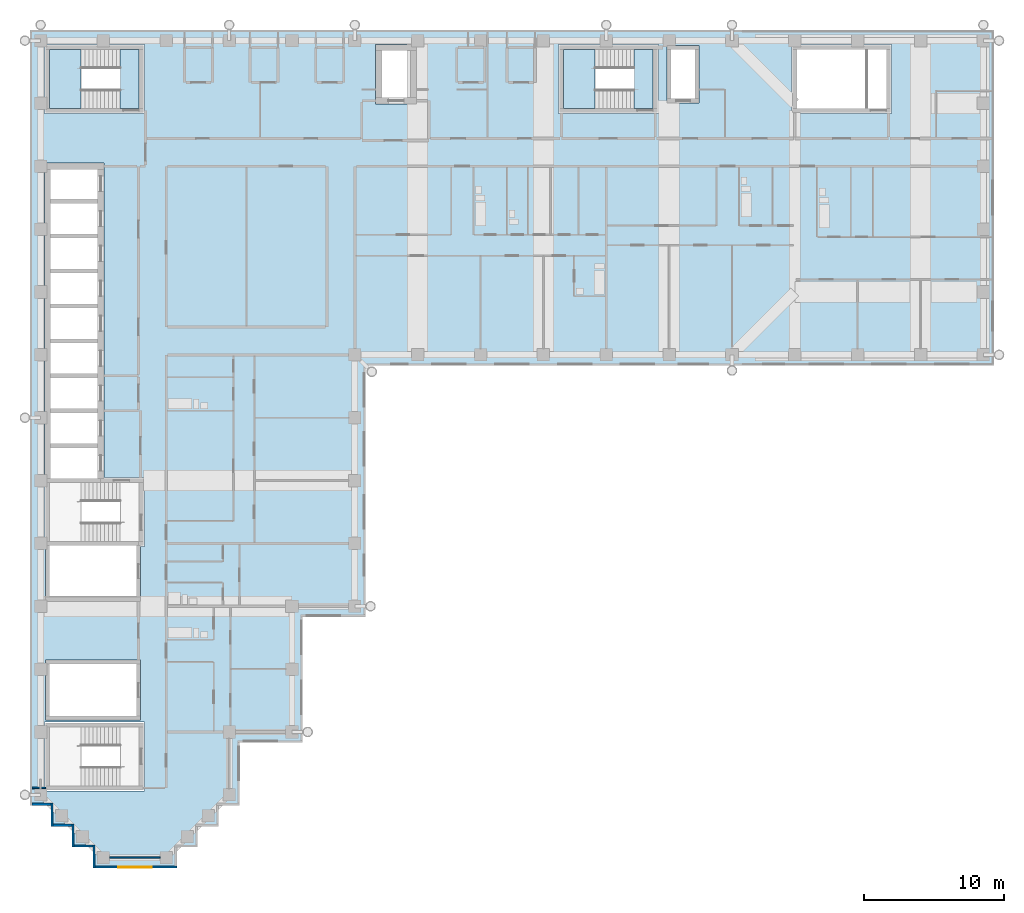
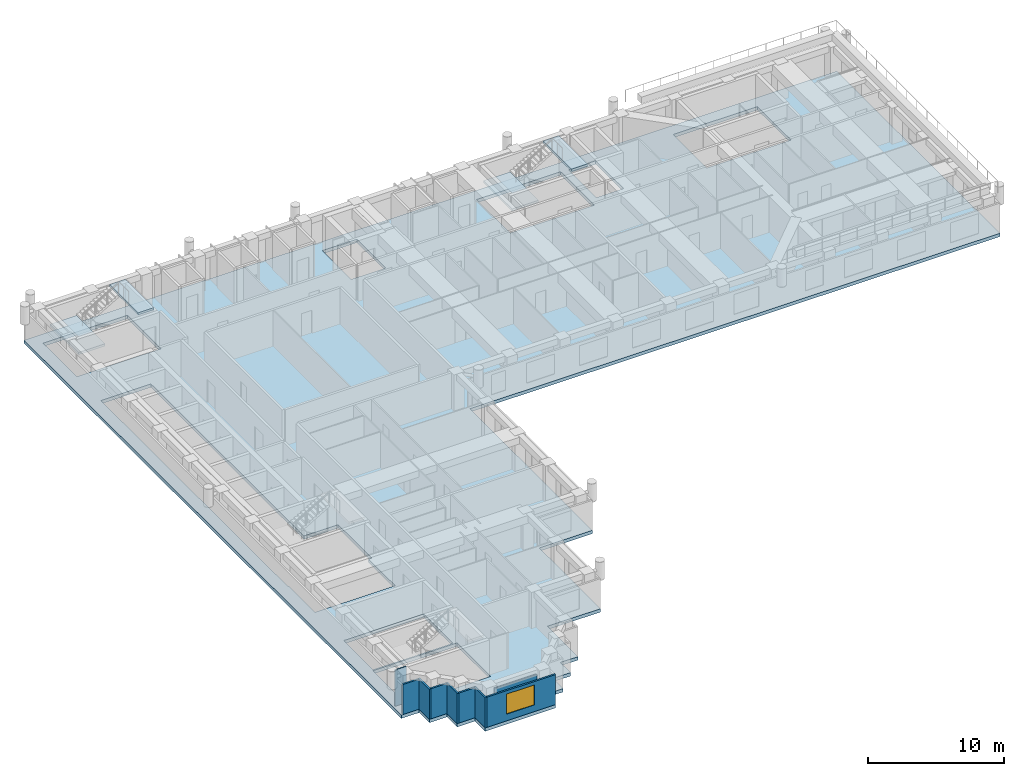
# One storey, part 4 of 14: 9 walls, 5 slabs, 1 window, 1 opening, 2 elements without a shape of their own.
"""IFC4 building model written with IfcOpenShell, lengths in metres."""

from ifc_helpers import new_model, si_unit, direction, frame, frame_2d, origin, place, context, subcontext, project, spatial, polyline, rectangle, outline, extrude, material, layer, layer_set, type_object, element, fill, aggregate, save


model = new_model("IFC4")

# Units and contexts
model_context = context("Model", 3, precision=1e-05, world=origin(), true_north=direction((0.0, 1.0)))
body_context = subcontext(model_context, "Body", "Model", "MODEL_VIEW")
ifc_project = project(units=[si_unit("LENGTHUNIT", "METRE"), si_unit("AREAUNIT", "SQUARE_METRE"), si_unit("VOLUMEUNIT", "CUBIC_METRE"), si_unit("PLANEANGLEUNIT", "RADIAN"), si_unit("MASSUNIT", "GRAM", prefix="KILO")], contexts=[model_context])

# Site, building, storey
site_placement = place(None, origin())
site = spatial("IfcSite", under=ifc_project, at=site_placement, CompositionType="ELEMENT")
building_placement = place(site_placement, origin())
building = spatial("IfcBuilding", under=site, at=building_placement, Name="Firuza Court", CompositionType="ELEMENT")
storey_placement = place(building_placement, frame((0.0, 0.0, 182.60009765625)))
storey = spatial("IfcBuildingStorey", under=building, at=storey_placement, Name="L46", CompositionType="ELEMENT", Elevation=182.60009765625)

# Slab
ifc_material_1 = material(Name="Concrete C40/50", Category="concrete")
ifc_layer_1 = layer(ifc_material_1, 0.300048828125)
ifc_layer_set_1 = layer_set([ifc_layer_1], Name="Concrete C40/50")
slab_type_1 = type_object("IfcSlabType", Name="Floor slab 300 C40/50", PredefinedType="FLOOR", material=ifc_layer_set_1)
slab_1_placement = place(storey_placement, frame((0.0, 0.0, -0.300048828125)))
element("IfcSlab", 1, at=slab_1_placement, inside=storey, type_object=slab_type_1, Name="Floor slab L46", PredefinedType="FLOOR", context=body_context, shape_type="SweptSolid", body=[
    extrude(outline(polyline([(3.75, -0.75), (3.75, 0.75), (2.25, 0.75), (2.25, 2.25), (0.75, 2.25), (0.75, 3.75), (-0.75, 3.75), (-0.75, 59.25), (68.25, 59.25), (68.25, 35.25), (23.25, 35.25), (23.25, 17.25), (18.75, 17.25), (18.75, 8.25), (14.25, 8.25), (14.25, 3.75), (12.75, 3.75), (12.75, 2.25), (11.25, 2.25), (11.25, 0.75), (9.75, 0.75), (9.75, -0.75), (3.75, -0.75)]), holes=[polyline([(0.27490234375, 29.72509765625), (0.27490234375, 29.27490234375), (0.27490234375, 27.22509765625), (0.27490234375, 26.77490234375), (0.27490234375, 22.27490234375), (0.35009765625, 22.27490234375), (0.35009765625, 18.35009765625), (7.14990234375, 18.35009765625), (7.14990234375, 22.27490234375), (7.425048828125, 22.27490234375), (7.425048828125, 27.22509765625), (4.52490234375, 27.22509765625), (4.52490234375, 29.27490234375), (4.52490234375, 29.72509765625), (4.52490234375, 31.77490234375), (4.52490234375, 32.22509765625), (4.52490234375, 34.27490234375), (4.52490234375, 34.72509765625), (4.52490234375, 36.77490234375), (4.52490234375, 37.22509765625), (4.52490234375, 39.27490234375), (4.52490234375, 39.72509765625), (4.52490234375, 41.77490234375), (4.52490234375, 42.22509765625), (4.52490234375, 44.27490234375), (4.52490234375, 44.72509765625), (4.52490234375, 46.77490234375), (4.52490234375, 47.22509765625), (4.52490234375, 49.72509765625), (0.27490234375, 49.72509765625), (0.27490234375, 47.22509765625), (0.27490234375, 46.77490234375), (0.27490234375, 44.72509765625), (0.27490234375, 44.27490234375), (0.27490234375, 42.22509765625), (0.27490234375, 41.77490234375), (0.27490234375, 39.72509765625), (0.27490234375, 39.27490234375), (0.27490234375, 37.22509765625), (0.27490234375, 36.77490234375), (0.27490234375, 34.72509765625), (0.27490234375, 34.27490234375), (0.27490234375, 32.22509765625), (0.27490234375, 31.77490234375), (0.27490234375, 29.72509765625)]), polyline([(7.425048828125, 9.72509765625), (0.27490234375, 9.72509765625), (0.27490234375, 4.77490234375), (7.425048828125, 4.77490234375), (7.425048828125, 9.72509765625)]), polyline([(7.14990234375, 14.14990234375), (0.35009765625, 14.14990234375), (0.35009765625, 9.85009765625), (7.14990234375, 9.85009765625), (7.14990234375, 14.14990234375)]), polyline([(7.425048828125, 58.22509765625), (0.27490234375, 58.22509765625), (0.27490234375, 53.27490234375), (7.425048828125, 53.27490234375), (7.425048828125, 58.22509765625)]), polyline([(44.22509765625, 58.22509765625), (37.074951171875, 58.22509765625), (37.074951171875, 53.27490234375), (44.22509765625, 53.27490234375), (44.22509765625, 58.22509765625)]), polyline([(60.925048828125, 58.22509765625), (53.77490234375, 58.22509765625), (53.77490234375, 53.27490234375), (60.925048828125, 53.27490234375), (60.925048828125, 58.22509765625)]), polyline([(26.925048828125, 53.97509765625), (26.925048828125, 58.22509765625), (23.97509765625, 58.22509765625), (23.97509765625, 53.97509765625), (26.925048828125, 53.97509765625)]), polyline([(47.14990234375, 54.050048828125), (47.14990234375, 58.14990234375), (44.85009765625, 58.14990234375), (44.85009765625, 54.050048828125), (47.14990234375, 54.050048828125)])]), origin(), (0.0, 0.0, 1.0), 0.300048828125),
])

# Stair, slabs
ifc_material_2 = material(Name="Concrete C40/50 precast", Category="concrete")
stair_type = type_object("IfcStairType", Name="Stair 1350 x 3600 2 flights", PredefinedType="HALF_TURN_STAIR", material=ifc_material_2)
stair_1_placement = place(storey_placement, origin())
stair_1 = element("IfcStair", 2, at=stair_1_placement, inside=storey, type_object=stair_type, Name="Stair 1 L46", PredefinedType="HALF_TURN_STAIR")
ifc_material_3 = material(Name="Concrete C40/50 precast", Category="concrete")
ifc_layer_2 = layer(ifc_material_3, 0.199951171875)
ifc_layer_set_2 = layer_set([ifc_layer_2], Name="Concrete C40/50 precast")
slab_type_2 = type_object("IfcSlabType", Name="Stair landing 200", PredefinedType="LANDING", material=ifc_layer_set_2)
slab_2_placement = place(storey_placement, frame((0.0, 0.0, 1.599853515625)))
slab_2 = element("IfcSlab", 3, at=slab_2_placement, type_object=slab_type_2, Name="S1 landing 1", PredefinedType="LANDING", context=body_context, shape_type="SweptSolid", body=[
    extrude(outline(polyline([(39.699951171875, 53.64990234375), (39.699951171875, 57.85009765625), (37.449951171875, 57.85009765625), (37.449951171875, 53.64990234375), (39.699951171875, 53.64990234375)])), origin(), (0.0, 0.0, 1.0), 0.199951171875),
])
slab_3_placement = place(storey_placement, frame((0.0, 0.0, 3.39990234375)))
slab_3 = element("IfcSlab", 4, at=slab_3_placement, type_object=slab_type_2, Name="S1 landing 2", PredefinedType="LANDING", context=body_context, shape_type="SweptSolid", body=[
    extrude(outline(polyline([(43.85009765625, 53.64990234375), (43.85009765625, 57.85009765625), (42.5, 57.85009765625), (42.5, 53.64990234375), (43.85009765625, 53.64990234375)])), origin(), (0.0, 0.0, 1.0), 0.199951171875),
])
aggregate(stair_1, [slab_2, slab_3])

stair_2_placement = place(storey_placement, origin())
stair_2 = element("IfcStair", 5, at=stair_2_placement, inside=storey, type_object=stair_type, Name="Stair 3 L46", PredefinedType="HALF_TURN_STAIR")
slab_4_placement = place(storey_placement, frame((0.0, 0.0, 1.599853515625)))
slab_4 = element("IfcSlab", 6, at=slab_4_placement, type_object=slab_type_2, Name="S3 landing 1", PredefinedType="LANDING", context=body_context, shape_type="SweptSolid", body=[
    extrude(outline(polyline([(2.89990234375, 53.64990234375), (2.89990234375, 57.85009765625), (0.64990234375, 57.85009765625), (0.64990234375, 53.64990234375), (2.89990234375, 53.64990234375)])), origin(), (0.0, 0.0, 1.0), 0.199951171875),
])
slab_5_placement = place(storey_placement, frame((0.0, 0.0, 3.39990234375)))
slab_5 = element("IfcSlab", 7, at=slab_5_placement, type_object=slab_type_2, Name="S3 landing 2", PredefinedType="LANDING", context=body_context, shape_type="SweptSolid", body=[
    extrude(outline(polyline([(7.050048828125, 53.64990234375), (7.050048828125, 57.85009765625), (5.699951171875, 57.85009765625), (5.699951171875, 53.64990234375), (7.050048828125, 53.64990234375)])), origin(), (0.0, 0.0, 1.0), 0.199951171875),
])
aggregate(stair_2, [slab_4, slab_5])

# Walls
ifc_material_4 = material(Name="Timber stud partition, plasterboard both sides", Category="wood")
ifc_layer_3 = layer(ifc_material_4, 0.10009765625)
ifc_layer_set_3 = layer_set([ifc_layer_3], Name="Timber stud partition, plasterboard both sides")
wall_type_1 = type_object("IfcWallType", Name="Partition wall 100", PredefinedType="PARTITIONING", material=ifc_layer_set_3)
wall_1_placement = place(storey_placement, frame((4.949951171875, 0.0, 0.0), z_axis=(0.0, 0.0, 1.0), x_axis=(1.0, 0.0, 0.0)))
element("IfcWall", 8, at=wall_1_placement, inside=storey, type_object=wall_type_1, Name="Partition wall 100 L46", PredefinedType="PARTITIONING", context=body_context, shape_type="SweptSolid", body=[
    extrude(rectangle(XDim=3.60009765625, YDim=0.10009765625, at=frame_2d((1.800048828125, 0.0))), origin(), (0.0, 0.0, 1.0), 2.699951171875),
])
wall_2_placement = place(storey_placement, frame((-0.60009765625, 5.0, 0.0), z_axis=(0.0, 0.0, 1.0), x_axis=(1.0, 0.0, 0.0)))
element("IfcWall", 9, at=wall_2_placement, inside=storey, type_object=wall_type_1, Name="Partition wall 100 L46", PredefinedType="PARTITIONING", context=body_context, shape_type="SweptSolid", body=[
    extrude(rectangle(XDim=0.951171875, YDim=0.10009765625, at=frame_2d((0.4755859375, 0.0))), origin(), (0.0, 0.0, 1.0), 3.25),
])
ifc_material_5 = material(Name="Ceramic tile", Category="ceramic")
ifc_layer_4 = layer(ifc_material_5, 0.02001953125)
ifc_material_6 = material(Name="Mineral wool insulation", Category="insulation")
ifc_layer_5 = layer(ifc_material_6, 0.050048828125)
ifc_layer_6 = layer(ifc_material_3, 0.080078125)
ifc_layer_set_4 = layer_set([ifc_layer_4, ifc_layer_5, ifc_layer_6], Name="Concrete C40/50 precast")
wall_type_2 = type_object("IfcWallType", Name="Precast cladding wall with turquoise TILE PANEL face 150", PredefinedType="STANDARD", material=ifc_layer_set_4)
wall_3_placement = place(storey_placement, frame((-0.60009765625, 3.824951171875, 0.0), z_axis=(0.0, 0.0, 1.0), x_axis=(1.0, 0.0, 0.0)))
element("IfcWall", 10, at=wall_3_placement, inside=storey, type_object=wall_type_2, Name="Facade wall L46 S", PredefinedType="STANDARD", context=body_context, shape_type="SweptSolid", body=[
    extrude(rectangle(XDim=1.35009765625, YDim=0.14990234375, at=frame_2d((0.675048828125, 0.0))), origin(), (0.0, 0.0, 1.0), 2.699951171875),
])
wall_4_placement = place(storey_placement, frame((0.824951171875, 3.89990234375, 0.0), z_axis=(0.0, 0.0, 1.0), x_axis=(0.0, -1.0, 0.0)))
element("IfcWall", 11, at=wall_4_placement, inside=storey, type_object=wall_type_2, Name="Facade wall L46 W", PredefinedType="STANDARD", context=body_context, shape_type="SweptSolid", body=[
    extrude(rectangle(XDim=1.64990234375, YDim=0.14990234375, at=frame_2d((0.824951171875, 0.0))), origin(), (0.0, 0.0, 1.0), 2.699951171875),
])
wall_5_placement = place(storey_placement, frame((0.89990234375, 2.324951171875, 0.0), z_axis=(0.0, 0.0, 1.0), x_axis=(1.0, 0.0, 0.0)))
element("IfcWall", 12, at=wall_5_placement, inside=storey, type_object=wall_type_2, Name="Facade wall L46 S", PredefinedType="STANDARD", context=body_context, shape_type="SweptSolid", body=[
    extrude(rectangle(XDim=1.35009765625, YDim=0.14990234375, at=frame_2d((0.675048828125, 0.0))), origin(), (0.0, 0.0, 1.0), 2.699951171875),
])
wall_6_placement = place(storey_placement, frame((2.324951171875, 2.39990234375, 0.0), z_axis=(0.0, 0.0, 1.0), x_axis=(0.0, -1.0, 0.0)))
element("IfcWall", 13, at=wall_6_placement, inside=storey, type_object=wall_type_2, Name="Facade wall L46 W", PredefinedType="STANDARD", context=body_context, shape_type="SweptSolid", body=[
    extrude(rectangle(XDim=1.64990234375, YDim=0.14990234375, at=frame_2d((0.824951171875, 0.0))), origin(), (0.0, 0.0, 1.0), 2.699951171875),
])
wall_7_placement = place(storey_placement, frame((2.39990234375, 0.824951171875, 0.0), z_axis=(0.0, 0.0, 1.0), x_axis=(1.0, 0.0, 0.0)))
element("IfcWall", 14, at=wall_7_placement, inside=storey, type_object=wall_type_2, Name="Facade wall L46 S", PredefinedType="STANDARD", context=body_context, shape_type="SweptSolid", body=[
    extrude(rectangle(XDim=1.35009765625, YDim=0.14990234375, at=frame_2d((0.675048828125, 0.0))), origin(), (0.0, 0.0, 1.0), 2.699951171875),
])
wall_8_placement = place(storey_placement, frame((3.824951171875, 0.89990234375, 0.0), z_axis=(0.0, 0.0, 1.0), x_axis=(0.0, -1.0, 0.0)))
element("IfcWall", 15, at=wall_8_placement, inside=storey, type_object=wall_type_2, Name="Facade wall L46 W", PredefinedType="STANDARD", context=body_context, shape_type="SweptSolid", body=[
    extrude(rectangle(XDim=1.64990234375, YDim=0.14990234375, at=frame_2d((0.824951171875, 0.0))), origin(), (0.0, 0.0, 1.0), 2.699951171875),
])

# Wall, opening, window
wall_9_placement = place(storey_placement, frame((3.89990234375, -0.675048828125, 0.0), z_axis=(0.0, 0.0, 1.0), x_axis=(1.0, 0.0, 0.0)))
wall_9 = element("IfcWall", 16, at=wall_9_placement, inside=storey, type_object=wall_type_2, Name="Facade wall L46 S", PredefinedType="STANDARD", context=body_context, shape_type="SweptSolid", body=[
    extrude(rectangle(XDim=5.85009765625, YDim=0.14990234375, at=frame_2d((2.925048828125, 0.0))), origin(), (0.0, 0.0, 1.0), 2.699951171875),
])
opening_placement = place(wall_9_placement, frame((1.64990234375, 0.0, 0.60009765625)))
opening = element("IfcOpeningElement", 17, at=opening_placement, cuts=wall_9, Name="Opening W1", PredefinedType="OPENING", context=body_context, shape_type="SweptSolid", body=[
    extrude(rectangle(XDim=2.39990234375, YDim=1.800048828125, at=frame_2d((1.199951171875, 0.89990234375))), frame((0.0, 0.0869140625, 0.0), z_axis=(0.0, -1.0, 0.0), x_axis=(1.0, 0.0, 0.0)), (0.0, 0.0, 1.0), 0.173828125),
])
ifc_material_7 = material(Name="Aluminium frame, triple clear glazing", Category="aluminium")
window_type = type_object("IfcWindowType", Name="Window W1 2400 x 1800", PartitioningType="SINGLE_PANEL", PredefinedType="WINDOW", material=ifc_material_7)
window_placement = place(opening_placement, origin())
window = element("IfcWindow", 18, at=window_placement, inside=storey, type_object=window_type, Name="Window L46", OverallHeight=1.800048828125, OverallWidth=2.39990234375, PartitioningType="SINGLE_PANEL", PredefinedType="WINDOW", context=body_context, shape_type="SweptSolid", body=[
    extrude(rectangle(XDim=2.39990234375, YDim=1.800048828125, at=frame_2d((1.199951171875, 0.89990234375))), frame((0.0, 0.030029296875, 0.0), z_axis=(0.0, -1.0, 0.0), x_axis=(1.0, 0.0, 0.0)), (0.0, 0.0, 1.0), 0.06005859375),
])
fill(opening, window)

save(model, "model.ifc")
